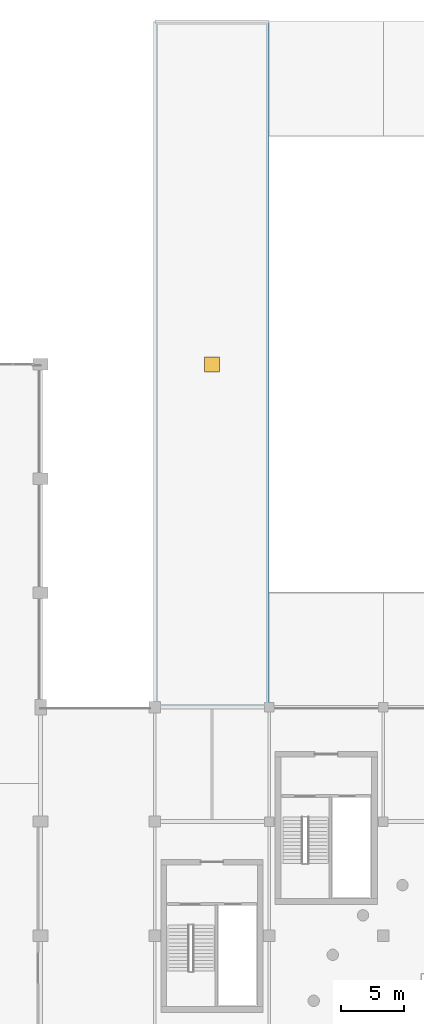
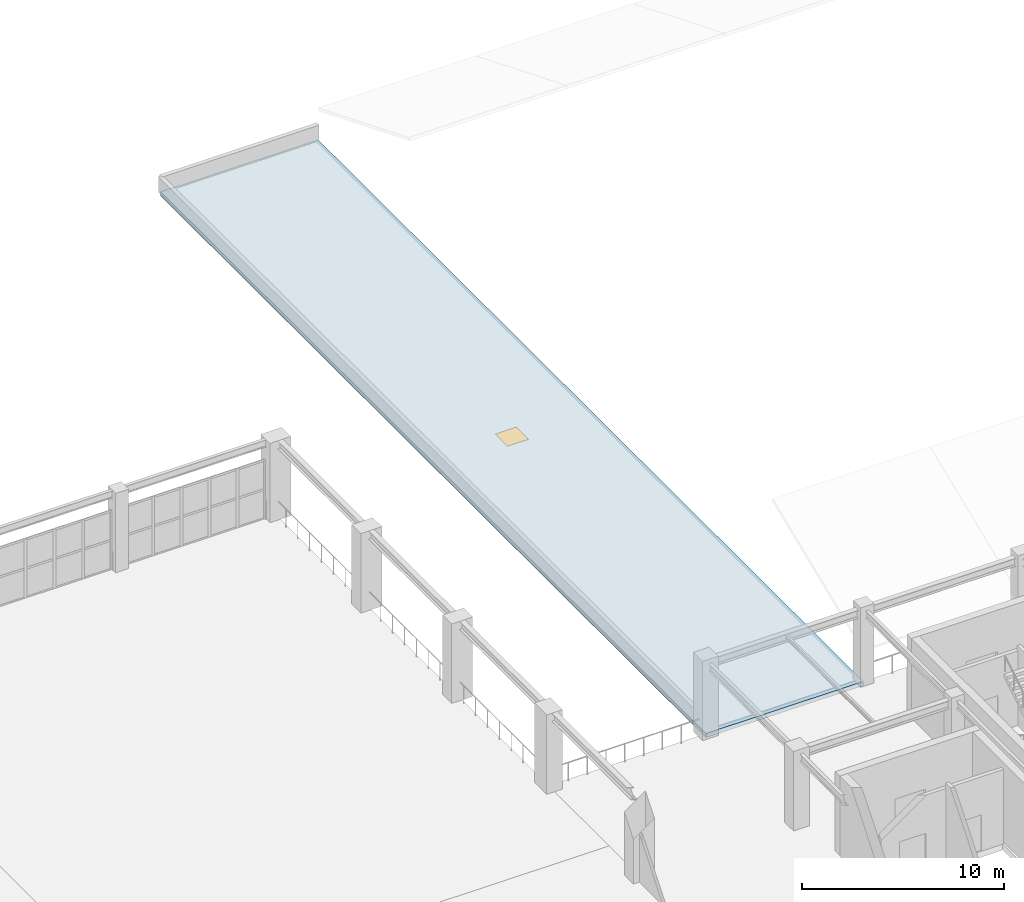
# One storey, part 58 of 89: 1 door, 1 slab, 1 opening.
"""IFC4 building model written with IfcOpenShell, lengths in metres."""

from ifc_helpers import new_model, si_unit, direction, frame, origin, origin_2d, place, context, subcontext, project, spatial, polyline, rectangle, outline, extrude, material, layer, layer_set, type_object, element, fill, save


model = new_model("IFC4")

# Units and contexts
model_context = context("Model", 3, precision=1e-05, world=origin(), true_north=direction((0.0, 1.0)))
body_context = subcontext(model_context, "Body", "Model", "MODEL_VIEW")
ifc_project = project(units=[si_unit("LENGTHUNIT", "METRE"), si_unit("AREAUNIT", "SQUARE_METRE"), si_unit("VOLUMEUNIT", "CUBIC_METRE"), si_unit("PLANEANGLEUNIT", "RADIAN"), si_unit("MASSUNIT", "GRAM", prefix="KILO")], contexts=[model_context])

# Site, building, storey
site_placement = place(None, origin())
site = spatial("IfcSite", under=ifc_project, at=site_placement, CompositionType="ELEMENT")
building_placement = place(site_placement, origin())
building = spatial("IfcBuilding", under=site, at=building_placement, Name="Dornveld Trade and Exhibition Forum", CompositionType="ELEMENT")
storey_placement = place(building_placement, frame((0.0, 0.0, 12.0)))
storey = spatial("IfcBuildingStorey", under=building, at=storey_placement, Name="L02", CompositionType="ELEMENT", Elevation=12.0)

# Slab, opening, door
ifc_material_1 = material(Name="Concrete C40/50", Category="concrete")
ifc_layer = layer(ifc_material_1, 0.25)
ifc_layer_set = layer_set([ifc_layer], Name="Concrete C40/50")
slab_type = type_object("IfcSlabType", Name="SL-ROOF-250", PredefinedType="ROOF", material=ifc_layer_set)
slab_placement = place(storey_placement, frame((0.0, 0.0, -0.25)))
slab = element("IfcSlab", 1, at=slab_placement, inside=storey, type_object=slab_type, Name="Hall 1 west gallery flat roof slab", PredefinedType="ROOF", context=body_context, shape_type="SweptSolid", body=[
    extrude(outline(polyline([(90.0, 108.0), (99.0, 108.0), (99.0, 162.0), (90.0, 162.0), (90.0, 108.0)]), holes=[polyline([(93.89990234375, 134.39990234375), (95.10009765625, 134.39990234375), (95.10009765625, 135.60009765625), (93.89990234375, 135.60009765625), (93.89990234375, 134.39990234375)])]), origin(), (0.0, 0.0, 1.0), 0.25),
])
opening_placement = place(slab_placement, frame((94.5, 135.0, 0.0)))
opening = element("IfcOpeningElement", 2, at=opening_placement, cuts=slab, Name="Opening RH-06", PredefinedType="OPENING", context=body_context, shape_type="SweptSolid", body=[
    extrude(rectangle(XDim=1.199951171875, YDim=1.199951171875, at=origin_2d()), origin(), (0.0, 0.0, 1.0), 0.25),
])
ifc_material_2 = material(Name="Galvanised insulated steel", Category="steel")
door_type = type_object("IfcDoorType", Name="DR-HATCH-120", OperationType="NOTDEFINED", PredefinedType="TRAPDOOR", material=ifc_material_2)
door_placement = place(opening_placement, frame((0.0, 0.0, 0.199951171875)))
door = element("IfcDoor", 3, at=door_placement, inside=storey, type_object=door_type, Name="L02 roof maintenance access hatch 6", OperationType="SINGLE_SWING_LEFT", OverallHeight=1.199951171875, OverallWidth=1.199951171875, PredefinedType="TRAPDOOR", context=body_context, shape_type="SweptSolid", body=[
    extrude(rectangle(XDim=1.199951171875, YDim=1.199951171875, at=origin_2d()), origin(), (0.0, 0.0, 1.0), 0.050048828125),
])
fill(opening, door)

save(model, "model.ifc")
